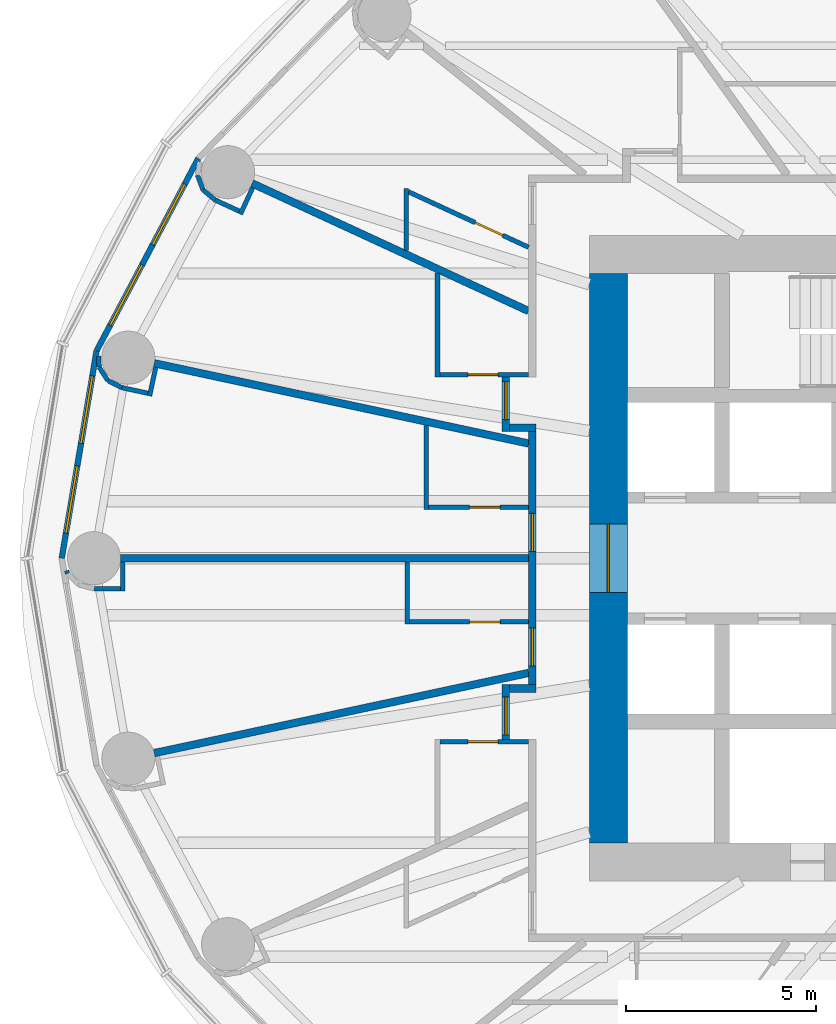
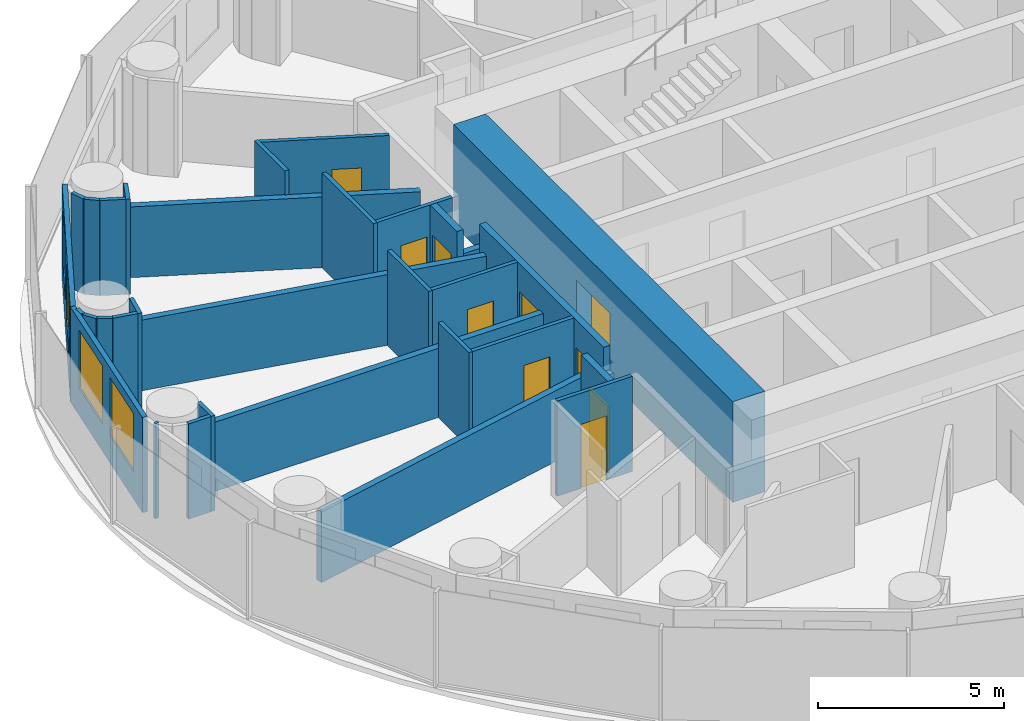
# One storey, part 8 of 16: 33 walls, 10 doors, 4 windows, 14 openings.
"""IFC4 building model written with IfcOpenShell, lengths in metres."""

import ifcopenshell
import ifcopenshell.guid

model = None  # the IFC model being written
_history = None  # IfcOwnerHistory: only IFC2X3 demands one
_inside = {}  # id of a spatial element -> (the spatial element, [elements in it])
_under = {}  # id of a project, library or spatial element -> (it, [spatial elements below it])
_declared = {}  # id of a project -> (the project, [libraries it declares])
_typed = {}  # id of a type object -> (the type object, [elements of that type])
_made_of = {}  # id of a material, layer set ... -> (it, [elements and type objects made of it])


def new_model(schema):
    """Start an empty IFC model of exactly this schema.

    Asked for "IFC4X3", IfcOpenShell would pick the latest addendum, in which some entities
    have other attributes; the version numbers below select the first issue.
    IFC2X3 requires an IfcOwnerHistory on every rooted entity: one is made here for all.
    """
    global model, _history
    if schema == "IFC4X3":
        model = ifcopenshell.file(schema_version=(4, 3, 0, 0))
    else:
        model = ifcopenshell.file(schema=schema)
    _inside.clear()
    _under.clear()
    _declared.clear()
    _typed.clear()
    _made_of.clear()
    _history = None
    if model.schema == "IFC2X3":
        org = make("IfcOrganization", Name="unknown")
        user = make(
            "IfcPersonAndOrganization",
            ThePerson=make("IfcPerson", FamilyName="unknown"),
            TheOrganization=org,
        )
        app = make(
            "IfcApplication",
            ApplicationDeveloper=org,
            Version="unknown",
            ApplicationFullName="unknown",
            ApplicationIdentifier="unknown",
        )
        _history = make(
            "IfcOwnerHistory",
            OwningUser=user,
            OwningApplication=app,
            ChangeAction="ADDED",
            CreationDate=0,
        )
    return model


def make(cls, **values):
    """One entity of the class cls with the attributes given. An attribute that is None is left unset."""
    return model.create_entity(
        cls, **{name: value for name, value in values.items() if value is not None}
    )


def rooted(cls, **values):
    """An entity with a GlobalId (a new one), such as an element, a storey or a relation."""
    return make(cls, GlobalId=ifcopenshell.guid.new(), OwnerHistory=_history, **values)


def si_unit(unit_type, name, prefix=None):
    """IfcSIUnit, for example si_unit("LENGTHUNIT", "METRE", prefix="MILLI")."""
    return make("IfcSIUnit", UnitType=unit_type, Prefix=prefix, Name=name)


def assignment(units):
    """IfcUnitAssignment: the units of a project."""
    return None if units is None else make("IfcUnitAssignment", Units=units)


def point(xyz):
    """IfcCartesianPoint."""
    return None if xyz is None else make("IfcCartesianPoint", Coordinates=xyz)


def direction(xyz):
    """IfcDirection."""
    return None if xyz is None else make("IfcDirection", DirectionRatios=xyz)


def frame(location, z_axis=None, x_axis=None):
    """IfcAxis2Placement3D, a coordinate frame: its origin and axes. An axis left out is left unset."""
    return make(
        "IfcAxis2Placement3D",
        Location=point(location),
        Axis=direction(z_axis),
        RefDirection=direction(x_axis),
    )


def frame_2d(location, x_axis=None):
    """IfcAxis2Placement2D, a coordinate frame in the plane: its origin and x axis."""
    return make(
        "IfcAxis2Placement2D", Location=point(location), RefDirection=direction(x_axis)
    )


def origin():
    """The frame at (0, 0, 0) with its axes left unset."""
    return frame((0.0, 0.0, 0.0))


def place(relative_to, where):
    """IfcLocalPlacement: puts the frame where relative to a parent placement (None: the world)."""
    return make(
        "IfcLocalPlacement", PlacementRelTo=relative_to, RelativePlacement=where
    )


def context(
    kind, dimensions, precision=None, world=None, true_north=None, identifier=None
):
    """IfcGeometricRepresentationContext, for example the 3D "Model" context."""
    return make(
        "IfcGeometricRepresentationContext",
        ContextIdentifier=identifier,
        ContextType=kind,
        CoordinateSpaceDimension=dimensions,
        Precision=precision,
        WorldCoordinateSystem=world,
        TrueNorth=true_north,
    )


def subcontext(parent, identifier, kind, view, scale=None):
    """IfcGeometricRepresentationSubContext, for example "Body" below "Model"."""
    return make(
        "IfcGeometricRepresentationSubContext",
        ContextIdentifier=identifier,
        ContextType=kind,
        ParentContext=parent,
        TargetScale=scale,
        TargetView=view,
    )


def project(units=None, contexts=None):
    """IfcProject with its units and contexts."""
    return rooted(
        "IfcProject",
        Name="project",
        RepresentationContexts=contexts,
        UnitsInContext=assignment(units),
    )


def spatial(cls, under=None, at=None, **own):
    """A site, building, storey or space (cls), placed at a placement, below another one or the project."""
    s = rooted(cls, ObjectPlacement=at, **own)
    if under is not None:
        _under.setdefault(under.id(), (under, []))[1].append(s)
    return s


def profile(cls, at=None, kind="AREA", **sizes):
    """A parametric profile (cls). Its sizes go by their IFC names, for example OverallWidth=200.0."""
    return make(cls, ProfileType=kind, Position=at, **sizes)


def rectangle(**sizes):
    """IfcRectangleProfileDef."""
    return profile("IfcRectangleProfileDef", **sizes)


def extrude(swept, where, along, depth):
    """IfcExtrudedAreaSolid: the profile swept, set in the frame where, extruded along a direction by depth."""
    return make(
        "IfcExtrudedAreaSolid",
        SweptArea=swept,
        Position=where,
        ExtrudedDirection=direction(along),
        Depth=depth,
    )


def shape(context_of_items, identifier, shape_type, items):
    """IfcShapeRepresentation: the items that make up one representation, for example the "Body"."""
    return make(
        "IfcShapeRepresentation",
        ContextOfItems=context_of_items,
        RepresentationIdentifier=identifier,
        RepresentationType=shape_type,
        Items=items,
    )


def material(Name=None, Category=None):
    """IfcMaterial."""
    return make("IfcMaterial", Name=Name, Category=Category)


def layer(
    of_material, thickness, ventilated=None, Name=None, Category=None, Priority=None
):
    """IfcMaterialLayer: one layer of a wall or slab, of a material (None: an air gap)."""
    return make(
        "IfcMaterialLayer",
        Material=of_material,
        LayerThickness=thickness,
        IsVentilated=ventilated,
        Name=Name,
        Category=Category,
        Priority=Priority,
    )


def layer_set(layers, Name=None):
    """IfcMaterialLayerSet."""
    return make("IfcMaterialLayerSet", MaterialLayers=layers, LayerSetName=Name)


def made_of(thing, what):
    """Note that an element or type object is made of a material, layer set ...; save() writes the relation."""
    if what is not None:
        _made_of.setdefault(what.id(), (what, []))[1].append(thing)
    return thing


def type_object(cls, material=None, **own):
    """A type object (cls), such as IfcWallType, which elements share."""
    return made_of(rooted(cls, **own), material)


def element(
    cls,
    number,
    at=None,
    inside=None,
    cuts=None,
    type_object=None,
    material=None,
    context=None,
    identifier="Body",
    shape_type=None,
    held_by="IfcProductDefinitionShape",
    body=None,
    shapes=None,
    **own,
):
    """One element of the class cls, such as IfcWall. Its Tag is "e" and its number.

    at: its placement. inside: the storey or other place that contains it. cuts: it is an
    opening in that element (IfcRelVoidsElement). A single representation is given by context,
    identifier, shape_type and body (its items); several are given by shapes. held_by: the class
    of the entity that holds the representations. save() writes the other relations.
    """
    e = rooted(cls, Tag="e%d" % number, ObjectPlacement=at, **own)
    if body is not None:
        shapes = [shape(context, identifier, shape_type, body)]
    if shapes is not None:
        e.Representation = make(held_by, Representations=shapes)
    if inside is not None:
        _inside.setdefault(inside.id(), (inside, []))[1].append(e)
    if cuts is not None:
        rooted(
            "IfcRelVoidsElement", RelatingBuildingElement=cuts, RelatedOpeningElement=e
        )
    if type_object is not None:
        _typed.setdefault(type_object.id(), (type_object, []))[1].append(e)
    return made_of(e, material)


def fill(opening, filler):
    """IfcRelFillsElement: the door or window that sits in an opening."""
    return rooted(
        "IfcRelFillsElement",
        RelatingOpeningElement=opening,
        RelatedBuildingElement=filler,
    )


def aggregate(whole, parts):
    """IfcRelAggregates: a whole, such as a stair, and the parts it consists of."""
    return rooted("IfcRelAggregates", RelatingObject=whole, RelatedObjects=parts)


def save(model, path):
    """Write the relations noted so far, then the file.

    IfcRelAggregates (storeys below a building ...), IfcRelContainedInSpatialStructure (elements
    in a storey), IfcRelDefinesByType, IfcRelAssociatesMaterial and IfcRelDeclares: one each for
    every whole, place, type object, material and project.
    """
    for whole, parts in _under.values():
        aggregate(whole, parts)
    for where, things in _inside.values():
        rooted(
            "IfcRelContainedInSpatialStructure",
            RelatedElements=things,
            RelatingStructure=where,
        )
    for kind, things in _typed.values():
        rooted("IfcRelDefinesByType", RelatedObjects=things, RelatingType=kind)
    for what, things in _made_of.values():
        rooted("IfcRelAssociatesMaterial", RelatedObjects=things, RelatingMaterial=what)
    for by, libraries in _declared.values():
        rooted("IfcRelDeclares", RelatingContext=by, RelatedDefinitions=libraries)
    model.write(path)


model = new_model("IFC4")

# Units and contexts
model_context = context("Model", 3, precision=1e-05, world=origin(), true_north=direction((0.0, 1.0)))
body_context = subcontext(model_context, "Body", "Model", "MODEL_VIEW")
ifc_project = project(units=[si_unit("LENGTHUNIT", "METRE"), si_unit("AREAUNIT", "SQUARE_METRE"), si_unit("VOLUMEUNIT", "CUBIC_METRE"), si_unit("PLANEANGLEUNIT", "RADIAN"), si_unit("MASSUNIT", "GRAM", prefix="KILO")], contexts=[model_context])

# Site, building, storey
site_placement = place(None, origin())
site = spatial("IfcSite", under=ifc_project, at=site_placement, CompositionType="ELEMENT")
building_placement = place(site_placement, origin())
building = spatial("IfcBuilding", under=site, at=building_placement, Name="Hankou Lantern Tower", CompositionType="ELEMENT")
storey_placement = place(building_placement, frame((0.0, 0.0, 77.10009765625)))
storey = spatial("IfcBuildingStorey", under=building, at=storey_placement, Name="L19", CompositionType="ELEMENT", Elevation=77.10009765625)

# Wall, opening, door
ifc_material_1 = material(Name="Concrete C60", Category="concrete")
ifc_layer_1 = layer(ifc_material_1, 1.0)
ifc_layer_set_1 = layer_set([ifc_layer_1], Name="Concrete C60")
wall_type_1 = type_object("IfcWallType", Name="CW1 CORE WALL 1000", PredefinedType="SHEAR", material=ifc_layer_set_1)
wall_1_placement = place(storey_placement, frame((-12.0, 7.5, 0.0), z_axis=(0.0, 0.0, 1.0), x_axis=(0.0, -1.0, 0.0)))
wall_1 = element("IfcWall", 1, at=wall_1_placement, inside=storey, type_object=wall_type_1, Name="Core wall west L19", PredefinedType="SHEAR", context=body_context, shape_type="SweptSolid", body=[
    extrude(rectangle(XDim=15.0, YDim=1.0, at=frame_2d((7.5, 0.0))), origin(), (0.0, 0.0, 1.0), 3.2998046875),
])
opening_1_placement = place(wall_1_placement, frame((6.60009765625, 0.0, 0.0)))
opening_1 = element("IfcOpeningElement", 2, at=opening_1_placement, cuts=wall_1, Name="Opening D6", PredefinedType="OPENING", context=body_context, shape_type="SweptSolid", body=[
    extrude(rectangle(XDim=1.800048828125, YDim=2.199951171875, at=frame_2d((0.89990234375, 1.10009765625))), frame((0.0, 0.510009765625, 0.0), z_axis=(0.0, -1.0, 0.0), x_axis=(1.0, 0.0, 0.0)), (0.0, 0.0, 1.0), 1.02001953125),
])
ifc_material_2 = material(Name="Steel door leaf", Category="steel")
door_type_1 = type_object("IfcDoorType", Name="D6 LIFT LOBBY DOOR 1800X2200", OperationType="DOUBLE_DOOR_DOUBLE_SWING", PredefinedType="DOOR", material=ifc_material_2)
door_1_placement = place(opening_1_placement, origin())
door_1 = element("IfcDoor", 3, at=door_1_placement, inside=storey, type_object=door_type_1, Name="Lift lobby west door", OperationType="DOUBLE_DOOR_DOUBLE_SWING", OverallHeight=2.199951171875, OverallWidth=1.800048828125, PredefinedType="DOOR", context=body_context, shape_type="SweptSolid", body=[
    extrude(rectangle(XDim=1.800048828125, YDim=2.199951171875, at=frame_2d((0.89990234375, 1.10009765625))), frame((0.0, 0.02490234375, 0.0), z_axis=(0.0, -1.0, 0.0), x_axis=(1.0, 0.0, 0.0)), (0.0, 0.0, 1.0), 0.050048828125),
])
fill(opening_1, door_1)

# Wall, openings, windows
ifc_material_3 = material(Name="Aluminium spandrel panel on steel studs", Category="steel")
ifc_layer_2 = layer(ifc_material_3, 0.14990234375)
ifc_layer_set_2 = layer_set([ifc_layer_2], Name="Aluminium spandrel panel on steel studs")
wall_type_2 = type_object("IfcWallType", Name="EW1 INNER SKIN WALL 150", PredefinedType="ELEMENTEDWALL", material=ifc_layer_set_2)
wall_2_placement = place(storey_placement, frame((-22.802734375, 10.5322265625, 0.0), z_axis=(0.0, 0.0, 1.0), x_axis=(-0.467296867008, -0.884100468321, 0.0)))
wall_2 = element("IfcWall", 4, at=wall_2_placement, inside=storey, type_object=wall_type_2, Name="Inner skin R11-R12 L19", PredefinedType="ELEMENTEDWALL", context=body_context, shape_type="SweptSolid", body=[
    extrude(rectangle(XDim=5.734375, YDim=0.14990234375, at=frame_2d((2.8671875, 0.0))), origin(), (0.0, 0.0, 1.0), 3.119873046875),
])
opening_2_placement = place(wall_2_placement, frame((0.76708984375, 0.0, 0.89990234375)))
opening_2 = element("IfcOpeningElement", 5, at=opening_2_placement, cuts=wall_2, Name="Opening W1", PredefinedType="OPENING", context=body_context, shape_type="SweptSolid", body=[
    extrude(rectangle(XDim=1.800048828125, YDim=1.89990234375, at=frame_2d((0.89990234375, 0.949951171875))), frame((0.0, 0.0849609375, 0.0), z_axis=(0.0, -1.0, 0.0), x_axis=(1.0, 0.0, 0.0)), (0.0, 0.0, 1.0), 0.169921875),
])
opening_3_placement = place(wall_2_placement, frame((3.167236328125, 0.0, 0.89990234375)))
opening_3 = element("IfcOpeningElement", 6, at=opening_3_placement, cuts=wall_2, Name="Opening W1", PredefinedType="OPENING", context=body_context, shape_type="SweptSolid", body=[
    extrude(rectangle(XDim=1.800048828125, YDim=1.89990234375, at=frame_2d((0.89990234375, 0.949951171875))), frame((0.0, 0.0849609375, 0.0), z_axis=(0.0, -1.0, 0.0), x_axis=(1.0, 0.0, 0.0)), (0.0, 0.0, 1.0), 0.169921875),
])
ifc_material_4 = material(Name="Aluminium framed double glazed window", Category="aluminium")
window_type = type_object("IfcWindowType", Name="W1 GUEST ROOM WINDOW 1800X1900", PartitioningType="DOUBLE_PANEL_VERTICAL", PredefinedType="WINDOW", material=ifc_material_4)
window_1_placement = place(opening_2_placement, origin())
window_1 = element("IfcWindow", 7, at=window_1_placement, inside=storey, type_object=window_type, Name="Window R11.1 L19", OverallHeight=1.89990234375, OverallWidth=1.800048828125, PartitioningType="SINGLE_PANEL", PredefinedType="WINDOW", context=body_context, shape_type="SweptSolid", body=[
    extrude(rectangle(XDim=1.800048828125, YDim=1.89990234375, at=frame_2d((0.89990234375, 0.949951171875))), frame((0.0, 0.030029296875, 0.0), z_axis=(0.0, -1.0, 0.0), x_axis=(1.0, 0.0, 0.0)), (0.0, 0.0, 1.0), 0.06005859375),
])
fill(opening_2, window_1)
window_2_placement = place(opening_3_placement, origin())
window_2 = element("IfcWindow", 8, at=window_2_placement, inside=storey, type_object=window_type, Name="Window R11.2 L19", OverallHeight=1.89990234375, OverallWidth=1.800048828125, PartitioningType="SINGLE_PANEL", PredefinedType="WINDOW", context=body_context, shape_type="SweptSolid", body=[
    extrude(rectangle(XDim=1.800048828125, YDim=1.89990234375, at=frame_2d((0.89990234375, 0.949951171875))), frame((0.0, 0.030029296875, 0.0), z_axis=(0.0, -1.0, 0.0), x_axis=(1.0, 0.0, 0.0)), (0.0, 0.0, 1.0), 0.06005859375),
])
fill(opening_3, window_2)

wall_3_placement = place(storey_placement, frame((-25.482421875, 5.46240234375, 0.0), z_axis=(0.0, 0.0, 1.0), x_axis=(-0.165642551694, -0.986185857264, 0.0)))
wall_3 = element("IfcWall", 9, at=wall_3_placement, inside=storey, type_object=wall_type_2, Name="Inner skin R12-R13 L19", PredefinedType="ELEMENTEDWALL", context=body_context, shape_type="SweptSolid", body=[
    extrude(rectangle(XDim=5.538818359375, YDim=0.14990234375, at=frame_2d((2.76953125, 0.0))), origin(), (0.0, 0.0, 1.0), 3.119873046875),
])
opening_4_placement = place(wall_3_placement, frame((0.66943359375, 0.0, 0.89990234375)))
opening_4 = element("IfcOpeningElement", 10, at=opening_4_placement, cuts=wall_3, Name="Opening W1", PredefinedType="OPENING", context=body_context, shape_type="SweptSolid", body=[
    extrude(rectangle(XDim=1.800048828125, YDim=1.89990234375, at=frame_2d((0.89990234375, 0.949951171875))), frame((0.0, 0.0849609375, 0.0), z_axis=(0.0, -1.0, 0.0), x_axis=(1.0, 0.0, 0.0)), (0.0, 0.0, 1.0), 0.169921875),
])
opening_5_placement = place(wall_3_placement, frame((3.069580078125, 0.0, 0.89990234375)))
opening_5 = element("IfcOpeningElement", 11, at=opening_5_placement, cuts=wall_3, Name="Opening W1", PredefinedType="OPENING", context=body_context, shape_type="SweptSolid", body=[
    extrude(rectangle(XDim=1.800048828125, YDim=1.89990234375, at=frame_2d((0.89990234375, 0.949951171875))), frame((0.0, 0.0849609375, 0.0), z_axis=(0.0, -1.0, 0.0), x_axis=(1.0, 0.0, 0.0)), (0.0, 0.0, 1.0), 0.169921875),
])
window_3_placement = place(opening_4_placement, origin())
window_3 = element("IfcWindow", 12, at=window_3_placement, inside=storey, type_object=window_type, Name="Window R12.1 L19", OverallHeight=1.89990234375, OverallWidth=1.800048828125, PartitioningType="SINGLE_PANEL", PredefinedType="WINDOW", context=body_context, shape_type="SweptSolid", body=[
    extrude(rectangle(XDim=1.800048828125, YDim=1.89990234375, at=frame_2d((0.89990234375, 0.949951171875))), frame((0.0, 0.030029296875, 0.0), z_axis=(0.0, -1.0, 0.0), x_axis=(1.0, 0.0, 0.0)), (0.0, 0.0, 1.0), 0.06005859375),
])
fill(opening_4, window_3)
window_4_placement = place(opening_5_placement, origin())
window_4 = element("IfcWindow", 13, at=window_4_placement, inside=storey, type_object=window_type, Name="Window R12.2 L19", OverallHeight=1.89990234375, OverallWidth=1.800048828125, PartitioningType="SINGLE_PANEL", PredefinedType="WINDOW", context=body_context, shape_type="SweptSolid", body=[
    extrude(rectangle(XDim=1.800048828125, YDim=1.89990234375, at=frame_2d((0.89990234375, 0.949951171875))), frame((0.0, 0.030029296875, 0.0), z_axis=(0.0, -1.0, 0.0), x_axis=(1.0, 0.0, 0.0)), (0.0, 0.0, 1.0), 0.06005859375),
])
fill(opening_5, window_4)

# Walls
ifc_material_5 = material(Name="Masonry lightweight concrete block", Category="masonry")
ifc_layer_3 = layer(ifc_material_5, 0.199951171875)
ifc_layer_set_3 = layer_set([ifc_layer_3], Name="Masonry lightweight concrete block")
wall_type_3 = type_object("IfcWallType", Name="IW1 GUEST ROOM PARTY WALL 200", PredefinedType="PARTITIONING", material=ifc_layer_set_3)
wall_4_placement = place(storey_placement, frame((-14.10009765625, 6.512451171875, 0.0), z_axis=(0.0, 0.0, 1.0), x_axis=(-0.907832871056, 0.419332181247, 0.0)))
element("IfcWall", 14, at=wall_4_placement, inside=storey, type_object=wall_type_3, Name="Party wall R11", PredefinedType="PARTITIONING", context=body_context, shape_type="SweptSolid", body=[
    extrude(rectangle(XDim=8.02294921875, YDim=0.199951171875, at=frame_2d((4.011474609375, 0.0))), origin(), (0.0, 0.0, 1.0), 2.31982421875),
])
wall_5_placement = place(storey_placement, frame((-14.10009765625, 3.0224609375, 0.0), z_axis=(0.0, 0.0, 1.0), x_axis=(-0.977790014929, 0.209586943072, 0.0)))
element("IfcWall", 15, at=wall_5_placement, inside=storey, type_object=wall_type_3, Name="Party wall R12", PredefinedType="PARTITIONING", context=body_context, shape_type="SweptSolid", body=[
    extrude(rectangle(XDim=10.086669921875, YDim=0.199951171875, at=frame_2d((5.04345703125, 0.0))), origin(), (0.0, 0.0, 1.0), 2.31982421875),
])
wall_6_placement = place(storey_placement, frame((-14.10009765625, 0.0, 0.0), z_axis=(0.0, 0.0, 1.0), x_axis=(-1.0, 0.0, 0.0)))
element("IfcWall", 16, at=wall_6_placement, inside=storey, type_object=wall_type_3, Name="Party wall R13", PredefinedType="PARTITIONING", context=body_context, shape_type="SweptSolid", body=[
    extrude(rectangle(XDim=10.75, YDim=0.199951171875, at=frame_2d((5.375, 0.0))), origin(), (0.0, 0.0, 1.0), 2.27001953125),
])
wall_7_placement = place(storey_placement, frame((-14.10009765625, -3.0224609375, 0.0), z_axis=(0.0, 0.0, 1.0), x_axis=(-0.977790014929, -0.209586943072, 0.0)))
element("IfcWall", 17, at=wall_7_placement, inside=storey, type_object=wall_type_3, Name="Party wall R14", PredefinedType="PARTITIONING", context=body_context, shape_type="SweptSolid", body=[
    extrude(rectangle(XDim=10.086669921875, YDim=0.199951171875, at=frame_2d((5.04345703125, 0.0))), origin(), (0.0, 0.0, 1.0), 2.31982421875),
])

# Wall, opening, door
ifc_material_6 = material(Name="Masonry lightweight concrete block", Category="masonry")
ifc_layer_4 = layer(ifc_material_6, 0.199951171875)
ifc_layer_set_4 = layer_set([ifc_layer_4], Name="Masonry lightweight concrete block")
wall_type_4 = type_object("IfcWallType", Name="IW2 CORRIDOR WALL 200", PredefinedType="PARTITIONING", material=ifc_layer_set_4)
wall_8_placement = place(storey_placement, frame((-14.699951171875, 4.7724609375, 0.0), z_axis=(0.0, 0.0, 1.0), x_axis=(0.0, -1.0, 0.0)))
wall_8 = element("IfcWall", 18, at=wall_8_placement, inside=storey, type_object=wall_type_4, Name="Corridor recess wall 1916 back", PredefinedType="PARTITIONING", context=body_context, shape_type="SweptSolid", body=[
    extrude(rectangle(XDim=1.43994140625, YDim=0.199951171875, at=frame_2d((0.719970703125, 0.0))), origin(), (0.0, 0.0, 1.0), 3.119873046875),
])
opening_6_placement = place(wall_8_placement, frame((0.1201171875, 0.0, 0.0)))
opening_6 = element("IfcOpeningElement", 19, at=opening_6_placement, cuts=wall_8, Name="Opening D1", PredefinedType="OPENING", context=body_context, shape_type="SweptSolid", body=[
    extrude(rectangle(XDim=1.0, YDim=2.199951171875, at=frame_2d((0.5, 1.10009765625))), frame((0.0, 0.10986328125, 0.0), z_axis=(0.0, -1.0, 0.0), x_axis=(1.0, 0.0, 0.0)), (0.0, 0.0, 1.0), 0.219970703125),
])
ifc_material_7 = material(Name="Steel door leaf", Category="steel")
door_type_2 = type_object("IfcDoorType", Name="D1 GUEST ROOM DOOR 1000X2200", OperationType="SINGLE_SWING_LEFT", PredefinedType="DOOR", material=ifc_material_7)
door_2_placement = place(opening_6_placement, origin())
door_2 = element("IfcDoor", 20, at=door_2_placement, inside=storey, type_object=door_type_2, Name="Guest room door 1916", OperationType="SINGLE_SWING_LEFT", OverallHeight=2.199951171875, OverallWidth=1.0, PredefinedType="DOOR", context=body_context, shape_type="SweptSolid", body=[
    extrude(rectangle(XDim=1.0, YDim=2.199951171875, at=frame_2d((0.5, 1.10009765625))), frame((0.0, 0.02490234375, 0.0), z_axis=(0.0, -1.0, 0.0), x_axis=(1.0, 0.0, 0.0)), (0.0, 0.0, 1.0), 0.050048828125),
])
fill(opening_6, door_2)

# Wall
wall_9_placement = place(storey_placement, frame((-13.89990234375, 3.4326171875, 0.0), z_axis=(0.0, 0.0, 1.0), x_axis=(-1.0, 0.0, 0.0)))
element("IfcWall", 21, at=wall_9_placement, inside=storey, type_object=wall_type_4, Name="Corridor recess wall 1916 side", PredefinedType="PARTITIONING", context=body_context, shape_type="SweptSolid", body=[
    extrude(rectangle(XDim=0.7001953125, YDim=0.199951171875, at=frame_2d((0.35009765625, 0.0))), origin(), (0.0, 0.0, 1.0), 2.31982421875),
])

# Wall, opening, door
wall_10_placement = place(storey_placement, frame((-14.699951171875, -3.33251953125, 0.0), z_axis=(0.0, 0.0, 1.0), x_axis=(0.0, -1.0, 0.0)))
wall_10 = element("IfcWall", 22, at=wall_10_placement, inside=storey, type_object=wall_type_4, Name="Corridor recess wall 1919 back", PredefinedType="PARTITIONING", context=body_context, shape_type="SweptSolid", body=[
    extrude(rectangle(XDim=1.43994140625, YDim=0.199951171875, at=frame_2d((0.719970703125, 0.0))), origin(), (0.0, 0.0, 1.0), 3.119873046875),
])
opening_7_placement = place(wall_10_placement, frame((0.320068359375, 0.0, 0.0)))
opening_7 = element("IfcOpeningElement", 23, at=opening_7_placement, cuts=wall_10, Name="Opening D1", PredefinedType="OPENING", context=body_context, shape_type="SweptSolid", body=[
    extrude(rectangle(XDim=1.0, YDim=2.199951171875, at=frame_2d((0.5, 1.10009765625))), frame((0.0, 0.10986328125, 0.0), z_axis=(0.0, -1.0, 0.0), x_axis=(1.0, 0.0, 0.0)), (0.0, 0.0, 1.0), 0.219970703125),
])
door_3_placement = place(opening_7_placement, origin())
door_3 = element("IfcDoor", 24, at=door_3_placement, inside=storey, type_object=door_type_2, Name="Guest room door 1919", OperationType="SINGLE_SWING_RIGHT", OverallHeight=2.199951171875, OverallWidth=1.0, PredefinedType="DOOR", context=body_context, shape_type="SweptSolid", body=[
    extrude(rectangle(XDim=1.0, YDim=2.199951171875, at=frame_2d((0.5, 1.10009765625))), frame((0.0, 0.02490234375, 0.0), z_axis=(0.0, -1.0, 0.0), x_axis=(1.0, 0.0, 0.0)), (0.0, 0.0, 1.0), 0.050048828125),
])
fill(opening_7, door_3)

# Wall
wall_11_placement = place(storey_placement, frame((-13.89990234375, -3.4326171875, 0.0), z_axis=(0.0, 0.0, 1.0), x_axis=(-1.0, 0.0, 0.0)))
element("IfcWall", 25, at=wall_11_placement, inside=storey, type_object=wall_type_4, Name="Corridor recess wall 1919 side", PredefinedType="PARTITIONING", context=body_context, shape_type="SweptSolid", body=[
    extrude(rectangle(XDim=0.7001953125, YDim=0.199951171875, at=frame_2d((0.35009765625, 0.0))), origin(), (0.0, 0.0, 1.0), 2.31982421875),
])

# Wall, openings, doors
wall_12_placement = place(storey_placement, frame((-14.0, 3.33251953125, 0.0), z_axis=(0.0, 0.0, 1.0), x_axis=(0.0, -1.0, 0.0)))
wall_12 = element("IfcWall", 26, at=wall_12_placement, inside=storey, type_object=wall_type_4, Name="Corridor wall west", PredefinedType="PARTITIONING", context=body_context, shape_type="SweptSolid", body=[
    extrude(rectangle(XDim=6.6650390625, YDim=0.199951171875, at=frame_2d((3.33251953125, 0.0))), origin(), (0.0, 0.0, 1.0), 3.119873046875),
])
opening_8_placement = place(wall_12_placement, frame((2.14990234375, 0.0, 0.0)))
opening_8 = element("IfcOpeningElement", 27, at=opening_8_placement, cuts=wall_12, Name="Opening D1", PredefinedType="OPENING", context=body_context, shape_type="SweptSolid", body=[
    extrude(rectangle(XDim=1.0, YDim=2.199951171875, at=frame_2d((0.5, 1.10009765625))), frame((0.0, 0.10986328125, 0.0), z_axis=(0.0, -1.0, 0.0), x_axis=(1.0, 0.0, 0.0)), (0.0, 0.0, 1.0), 0.219970703125),
])
opening_9_placement = place(wall_12_placement, frame((5.172607421875, 0.0, 0.0)))
opening_9 = element("IfcOpeningElement", 28, at=opening_9_placement, cuts=wall_12, Name="Opening D1", PredefinedType="OPENING", context=body_context, shape_type="SweptSolid", body=[
    extrude(rectangle(XDim=1.0, YDim=2.199951171875, at=frame_2d((0.5, 1.10009765625))), frame((0.0, 0.10986328125, 0.0), z_axis=(0.0, -1.0, 0.0), x_axis=(1.0, 0.0, 0.0)), (0.0, 0.0, 1.0), 0.219970703125),
])
door_4_placement = place(opening_8_placement, origin())
door_4 = element("IfcDoor", 29, at=door_4_placement, inside=storey, type_object=door_type_2, Name="Guest room door 1917", OperationType="SINGLE_SWING_LEFT", OverallHeight=2.199951171875, OverallWidth=1.0, PredefinedType="DOOR", context=body_context, shape_type="SweptSolid", body=[
    extrude(rectangle(XDim=1.0, YDim=2.199951171875, at=frame_2d((0.5, 1.10009765625))), frame((0.0, 0.02490234375, 0.0), z_axis=(0.0, -1.0, 0.0), x_axis=(1.0, 0.0, 0.0)), (0.0, 0.0, 1.0), 0.050048828125),
])
fill(opening_8, door_4)
door_5_placement = place(opening_9_placement, origin())
door_5 = element("IfcDoor", 30, at=door_5_placement, inside=storey, type_object=door_type_2, Name="Guest room door 1918", OperationType="SINGLE_SWING_RIGHT", OverallHeight=2.199951171875, OverallWidth=1.0, PredefinedType="DOOR", context=body_context, shape_type="SweptSolid", body=[
    extrude(rectangle(XDim=1.0, YDim=2.199951171875, at=frame_2d((0.5, 1.10009765625))), frame((0.0, 0.02490234375, 0.0), z_axis=(0.0, -1.0, 0.0), x_axis=(1.0, 0.0, 0.0)), (0.0, 0.0, 1.0), 0.050048828125),
])
fill(opening_9, door_5)

# Wall
ifc_material_8 = material(Name="Masonry lightweight concrete block", Category="masonry")
ifc_layer_5 = layer(ifc_material_8, 0.1201171875)
ifc_layer_set_5 = layer_set([ifc_layer_5], Name="Masonry lightweight concrete block")
wall_type_5 = type_object("IfcWallType", Name="IW3 BATHROOM WALL 120", PredefinedType="PARTITIONING", material=ifc_layer_set_5)
wall_13_placement = place(storey_placement, frame((-17.32275390625, 8.10107421875, 0.0), z_axis=(0.0, 0.0, 1.0), x_axis=(0.0, 1.0, 0.0)))
element("IfcWall", 31, at=wall_13_placement, inside=storey, type_object=wall_type_5, Name="Box wall 1915 1", PredefinedType="PARTITIONING", context=body_context, shape_type="SweptSolid", body=[
    extrude(rectangle(XDim=1.639892578125, YDim=0.1201171875, at=frame_2d((0.81982421875, 0.0))), origin(), (0.0, 0.0, 1.0), 3.119873046875),
])

# Wall, opening, door
wall_14_placement = place(storey_placement, frame((-14.10009765625, 8.192626953125, 0.0), z_axis=(0.0, 0.0, 1.0), x_axis=(-0.907836493557, 0.419324338628, 0.0)))
wall_14 = element("IfcWall", 32, at=wall_14_placement, inside=storey, type_object=wall_type_5, Name="Box wall 1915 1", PredefinedType="PARTITIONING", context=body_context, shape_type="SweptSolid", body=[
    extrude(rectangle(XDim=3.48974609375, YDim=0.1201171875, at=frame_2d((1.744873046875, 0.0))), origin(), (0.0, 0.0, 1.0), 3.119873046875),
])
opening_10_placement = place(wall_14_placement, frame((0.75, 0.0, 0.0)))
opening_10 = element("IfcOpeningElement", 33, at=opening_10_placement, cuts=wall_14, Name="Opening D3", PredefinedType="OPENING", context=body_context, shape_type="SweptSolid", body=[
    extrude(rectangle(XDim=0.800048828125, YDim=2.10009765625, at=frame_2d((0.39990234375, 1.050048828125))), frame((0.0, 0.070068359375, 0.0), z_axis=(0.0, -1.0, 0.0), x_axis=(1.0, 0.0, 0.0)), (0.0, 0.0, 1.0), 0.14013671875),
])
ifc_material_9 = material(Name="Timber door leaf", Category="wood")
door_type_3 = type_object("IfcDoorType", Name="D3 BATHROOM DOOR 800X2100", OperationType="SINGLE_SWING_LEFT", PredefinedType="DOOR", material=ifc_material_9)
door_6_placement = place(opening_10_placement, origin())
door_6 = element("IfcDoor", 34, at=door_6_placement, inside=storey, type_object=door_type_3, Name="En-suite bathroom 1915 door", OperationType="SINGLE_SWING_LEFT", OverallHeight=2.10009765625, OverallWidth=0.800048828125, PredefinedType="DOOR", context=body_context, shape_type="SweptSolid", body=[
    extrude(rectangle(XDim=0.800048828125, YDim=2.10009765625, at=frame_2d((0.39990234375, 1.050048828125))), frame((0.0, 0.02490234375, 0.0), z_axis=(0.0, -1.0, 0.0), x_axis=(1.0, 0.0, 0.0)), (0.0, 0.0, 1.0), 0.050048828125),
])
fill(opening_10, door_6)

# Wall
wall_15_placement = place(storey_placement, frame((-16.5, 7.52099609375, 0.0), z_axis=(0.0, 0.0, 1.0), x_axis=(0.0, -1.0, 0.0)))
element("IfcWall", 35, at=wall_15_placement, inside=storey, type_object=wall_type_5, Name="Box wall 1916 1", PredefinedType="PARTITIONING", context=body_context, shape_type="SweptSolid", body=[
    extrude(rectangle(XDim=2.74853515625, YDim=0.1201171875, at=frame_2d((1.374267578125, 0.0))), origin(), (0.0, 0.0, 1.0), 3.119873046875),
])

# Wall, opening, door
wall_16_placement = place(storey_placement, frame((-14.10009765625, 4.83251953125, 0.0), z_axis=(0.0, 0.0, 1.0), x_axis=(-1.0, 0.0, 0.0)))
wall_16 = element("IfcWall", 36, at=wall_16_placement, inside=storey, type_object=wall_type_5, Name="Box wall 1916 1", PredefinedType="PARTITIONING", context=body_context, shape_type="SweptSolid", body=[
    extrude(rectangle(XDim=2.33984375, YDim=0.1201171875, at=frame_2d((1.169921875, 0.0))), origin(), (0.0, 0.0, 1.0), 3.119873046875),
])
opening_11_placement = place(wall_16_placement, frame((0.800048828125, 0.0, 0.0)))
opening_11 = element("IfcOpeningElement", 37, at=opening_11_placement, cuts=wall_16, Name="Opening D3", PredefinedType="OPENING", context=body_context, shape_type="SweptSolid", body=[
    extrude(rectangle(XDim=0.800048828125, YDim=2.10009765625, at=frame_2d((0.39990234375, 1.050048828125))), frame((0.0, 0.070068359375, 0.0), z_axis=(0.0, -1.0, 0.0), x_axis=(1.0, 0.0, 0.0)), (0.0, 0.0, 1.0), 0.14013671875),
])
door_7_placement = place(opening_11_placement, origin())
door_7 = element("IfcDoor", 38, at=door_7_placement, inside=storey, type_object=door_type_3, Name="En-suite bathroom 1916 door", OperationType="SINGLE_SWING_LEFT", OverallHeight=2.10009765625, OverallWidth=0.800048828125, PredefinedType="DOOR", context=body_context, shape_type="SweptSolid", body=[
    extrude(rectangle(XDim=0.800048828125, YDim=2.10009765625, at=frame_2d((0.39990234375, 1.050048828125))), frame((0.0, 0.02490234375, 0.0), z_axis=(0.0, -1.0, 0.0), x_axis=(1.0, 0.0, 0.0)), (0.0, 0.0, 1.0), 0.050048828125),
])
fill(opening_11, door_7)

# Wall
wall_17_placement = place(storey_placement, frame((-16.800048828125, 3.501220703125, 0.0), z_axis=(0.0, 0.0, 1.0), x_axis=(0.0, -1.0, 0.0)))
element("IfcWall", 39, at=wall_17_placement, inside=storey, type_object=wall_type_5, Name="Box wall 1917 1", PredefinedType="PARTITIONING", context=body_context, shape_type="SweptSolid", body=[
    extrude(rectangle(XDim=2.21875, YDim=0.1201171875, at=frame_2d((1.109375, 0.0))), origin(), (0.0, 0.0, 1.0), 3.119873046875),
])

# Wall, opening, door
wall_18_placement = place(storey_placement, frame((-14.10009765625, 1.342529296875, 0.0), z_axis=(0.0, 0.0, 1.0), x_axis=(-1.0, 0.0, 0.0)))
wall_18 = element("IfcWall", 40, at=wall_18_placement, inside=storey, type_object=wall_type_5, Name="Box wall 1917 1", PredefinedType="PARTITIONING", context=body_context, shape_type="SweptSolid", body=[
    extrude(rectangle(XDim=2.639892578125, YDim=0.1201171875, at=frame_2d((1.31982421875, 0.0))), origin(), (0.0, 0.0, 1.0), 3.119873046875),
])
opening_12_placement = place(wall_18_placement, frame((0.75, 0.0, 0.0)))
opening_12 = element("IfcOpeningElement", 41, at=opening_12_placement, cuts=wall_18, Name="Opening D3", PredefinedType="OPENING", context=body_context, shape_type="SweptSolid", body=[
    extrude(rectangle(XDim=0.800048828125, YDim=2.10009765625, at=frame_2d((0.39990234375, 1.050048828125))), frame((0.0, 0.070068359375, 0.0), z_axis=(0.0, -1.0, 0.0), x_axis=(1.0, 0.0, 0.0)), (0.0, 0.0, 1.0), 0.14013671875),
])
door_8_placement = place(opening_12_placement, origin())
door_8 = element("IfcDoor", 42, at=door_8_placement, inside=storey, type_object=door_type_3, Name="En-suite bathroom 1917 door", OperationType="SINGLE_SWING_LEFT", OverallHeight=2.10009765625, OverallWidth=0.800048828125, PredefinedType="DOOR", context=body_context, shape_type="SweptSolid", body=[
    extrude(rectangle(XDim=0.800048828125, YDim=2.10009765625, at=frame_2d((0.39990234375, 1.050048828125))), frame((0.0, 0.02490234375, 0.0), z_axis=(0.0, -1.0, 0.0), x_axis=(1.0, 0.0, 0.0)), (0.0, 0.0, 1.0), 0.050048828125),
])
fill(opening_12, door_8)

# Wall
wall_19_placement = place(storey_placement, frame((-17.300048828125, -0.10009765625, 0.0), z_axis=(0.0, 0.0, 1.0), x_axis=(0.0, -1.0, 0.0)))
element("IfcWall", 43, at=wall_19_placement, inside=storey, type_object=wall_type_5, Name="Box wall 1918 1", PredefinedType="PARTITIONING", context=body_context, shape_type="SweptSolid", body=[
    extrude(rectangle(XDim=1.639892578125, YDim=0.1201171875, at=frame_2d((0.81982421875, 0.0))), origin(), (0.0, 0.0, 1.0), 3.119873046875),
])

# Wall, opening, door
wall_20_placement = place(storey_placement, frame((-14.10009765625, -1.679931640625, 0.0), z_axis=(0.0, 0.0, 1.0), x_axis=(-1.0, 0.0, 0.0)))
wall_20 = element("IfcWall", 44, at=wall_20_placement, inside=storey, type_object=wall_type_5, Name="Box wall 1918 1", PredefinedType="PARTITIONING", context=body_context, shape_type="SweptSolid", body=[
    extrude(rectangle(XDim=3.139892578125, YDim=0.1201171875, at=frame_2d((1.56982421875, 0.0))), origin(), (0.0, 0.0, 1.0), 3.119873046875),
])
opening_13_placement = place(wall_20_placement, frame((0.75, 0.0, 0.0)))
opening_13 = element("IfcOpeningElement", 45, at=opening_13_placement, cuts=wall_20, Name="Opening D3", PredefinedType="OPENING", context=body_context, shape_type="SweptSolid", body=[
    extrude(rectangle(XDim=0.800048828125, YDim=2.10009765625, at=frame_2d((0.39990234375, 1.050048828125))), frame((0.0, 0.070068359375, 0.0), z_axis=(0.0, -1.0, 0.0), x_axis=(1.0, 0.0, 0.0)), (0.0, 0.0, 1.0), 0.14013671875),
])
door_9_placement = place(opening_13_placement, origin())
door_9 = element("IfcDoor", 46, at=door_9_placement, inside=storey, type_object=door_type_3, Name="En-suite bathroom 1918 door", OperationType="SINGLE_SWING_LEFT", OverallHeight=2.10009765625, OverallWidth=0.800048828125, PredefinedType="DOOR", context=body_context, shape_type="SweptSolid", body=[
    extrude(rectangle(XDim=0.800048828125, YDim=2.10009765625, at=frame_2d((0.39990234375, 1.050048828125))), frame((0.0, 0.02490234375, 0.0), z_axis=(0.0, -1.0, 0.0), x_axis=(1.0, 0.0, 0.0)), (0.0, 0.0, 1.0), 0.050048828125),
])
fill(opening_13, door_9)

wall_21_placement = place(storey_placement, frame((-14.10009765625, -4.83251953125, 0.0), z_axis=(0.0, 0.0, 1.0), x_axis=(-1.0, 0.0, 0.0)))
wall_21 = element("IfcWall", 47, at=wall_21_placement, inside=storey, type_object=wall_type_5, Name="Box wall 1919 1", PredefinedType="PARTITIONING", context=body_context, shape_type="SweptSolid", body=[
    extrude(rectangle(XDim=2.33984375, YDim=0.1201171875, at=frame_2d((1.169921875, 0.0))), origin(), (0.0, 0.0, 1.0), 3.119873046875),
])
opening_14_placement = place(wall_21_placement, frame((0.800048828125, 0.0, 0.0)))
opening_14 = element("IfcOpeningElement", 48, at=opening_14_placement, cuts=wall_21, Name="Opening D3", PredefinedType="OPENING", context=body_context, shape_type="SweptSolid", body=[
    extrude(rectangle(XDim=0.800048828125, YDim=2.10009765625, at=frame_2d((0.39990234375, 1.050048828125))), frame((0.0, 0.070068359375, 0.0), z_axis=(0.0, -1.0, 0.0), x_axis=(1.0, 0.0, 0.0)), (0.0, 0.0, 1.0), 0.14013671875),
])
door_10_placement = place(opening_14_placement, origin())
door_10 = element("IfcDoor", 49, at=door_10_placement, inside=storey, type_object=door_type_3, Name="En-suite bathroom 1919 door", OperationType="SINGLE_SWING_RIGHT", OverallHeight=2.10009765625, OverallWidth=0.800048828125, PredefinedType="DOOR", context=body_context, shape_type="SweptSolid", body=[
    extrude(rectangle(XDim=0.800048828125, YDim=2.10009765625, at=frame_2d((0.39990234375, 1.050048828125))), frame((0.0, 0.02490234375, 0.0), z_axis=(0.0, -1.0, 0.0), x_axis=(1.0, 0.0, 0.0)), (0.0, 0.0, 1.0), 0.050048828125),
])
fill(opening_14, door_10)

# Walls
ifc_material_10 = material(Name="Masonry lightweight concrete block", Category="masonry")
ifc_layer_6 = layer(ifc_material_10, 0.1201171875)
ifc_layer_set_6 = layer_set([ifc_layer_6], Name="Masonry lightweight concrete block")
wall_type_6 = type_object("IfcWallType", Name="IW4 PARTITION 120", PredefinedType="PARTITIONING", material=ifc_layer_set_6)
wall_22_placement = place(storey_placement, frame((-21.37109375, 9.7607421875, 0.0), z_axis=(0.0, 0.0, 1.0), x_axis=(-0.419259891039, -0.907866258744, 0.0)))
element("IfcWall", 50, at=wall_22_placement, inside=storey, type_object=wall_type_6, Name="Column casing R11 return", PredefinedType="PARTITIONING", context=body_context, shape_type="SweptSolid", body=[
    extrude(rectangle(XDim=0.767578125, YDim=0.1201171875, at=frame_2d((0.3837890625, 0.0))), origin(), (0.0, 0.0, 1.0), 3.119873046875),
])
wall_23_placement = place(storey_placement, frame((-21.72216796875, 9.1435546875, 0.0), z_axis=(0.0, 0.0, 1.0), x_axis=(-0.907877701396, 0.419235112208, 0.0)))
element("IfcWall", 51, at=wall_23_placement, inside=storey, type_object=wall_type_6, Name="Column casing R11", PredefinedType="PARTITIONING", context=body_context, shape_type="SweptSolid", body=[
    extrude(rectangle(XDim=0.699951171875, YDim=0.1201171875, at=frame_2d((0.35009765625, 0.0))), origin(), (0.0, 0.0, 1.0), 3.119873046875),
])
wall_24_placement = place(storey_placement, frame((-22.357666015625, 9.43701171875, 0.0), z_axis=(0.0, 0.0, 1.0), x_axis=(-0.768412687942, 0.639954639806, 0.0)))
element("IfcWall", 52, at=wall_24_placement, inside=storey, type_object=wall_type_6, Name="Column casing R11", PredefinedType="PARTITIONING", context=body_context, shape_type="SweptSolid", body=[
    extrude(rectangle(XDim=0.418212890625, YDim=0.1201171875, at=frame_2d((0.208984375, 0.0))), origin(), (0.0, 0.0, 1.0), 3.119873046875),
])
wall_25_placement = place(storey_placement, frame((-22.678955078125, 9.70458984375, 0.0), z_axis=(0.0, 0.0, 1.0), x_axis=(-0.345164001646, 0.938542386879, 0.0)))
element("IfcWall", 53, at=wall_25_placement, inside=storey, type_object=wall_type_6, Name="Column casing R11", PredefinedType="PARTITIONING", context=body_context, shape_type="SweptSolid", body=[
    extrude(rectangle(XDim=0.41796875, YDim=0.1201171875, at=frame_2d((0.208984375, 0.0))), origin(), (0.0, 0.0, 1.0), 3.119873046875),
])
wall_26_placement = place(storey_placement, frame((-23.9248046875, 5.026123046875, 0.0), z_axis=(0.0, 0.0, 1.0), x_axis=(-0.209681192172, -0.977769808109, 0.0)))
element("IfcWall", 54, at=wall_26_placement, inside=storey, type_object=wall_type_6, Name="Column casing R12 return", PredefinedType="PARTITIONING", context=body_context, shape_type="SweptSolid", body=[
    extrude(rectangle(XDim=0.767333984375, YDim=0.1201171875, at=frame_2d((0.3837890625, 0.0))), origin(), (0.0, 0.0, 1.0), 3.119873046875),
])
wall_27_placement = place(storey_placement, frame((-24.1318359375, 4.346923828125, 0.0), z_axis=(0.0, 0.0, 1.0), x_axis=(-0.977776882509, 0.209648200638, 0.0)))
element("IfcWall", 55, at=wall_27_placement, inside=storey, type_object=wall_type_6, Name="Column casing R12", PredefinedType="PARTITIONING", context=body_context, shape_type="SweptSolid", body=[
    extrude(rectangle(XDim=0.699951171875, YDim=0.1201171875, at=frame_2d((0.35009765625, 0.0))), origin(), (0.0, 0.0, 1.0), 3.119873046875),
])
for number, where, z_axis, x_axis, name in (
    (56, (-24.816162109375, 4.49365234375, 0.0), (0.0, 0.0, 1.0), (-0.890303208847, 0.455368198623, 0.0), "Column casing R12"),
    (57, (-25.1884765625, 4.68408203125, 0.0), (0.0, 0.0, 1.0), (-0.543057568894, 0.839695466742, 0.0), "Column casing R12"),
):
    element("IfcWall", number, at=place(storey_placement, frame(where, z_axis=z_axis, x_axis=x_axis)), inside=storey, type_object=wall_type_6, Name=name, PredefinedType="PARTITIONING", context=body_context, shape_type="SweptSolid", body=[
        extrude(rectangle(XDim=0.418212890625, YDim=0.1201171875, at=frame_2d((0.208984375, 0.0))), origin(), (0.0, 0.0, 1.0), 3.119873046875),
    ])
wall_28_placement = place(storey_placement, frame((-25.41552734375, 5.03515625, 0.0), z_axis=(0.0, 0.0, 1.0), x_axis=(-0.050406329159, 0.998728793007, 0.0)))
element("IfcWall", 58, at=wall_28_placement, inside=storey, type_object=wall_type_6, Name="Column casing R12", PredefinedType="PARTITIONING", context=body_context, shape_type="SweptSolid", body=[
    extrude(rectangle(XDim=0.28564453125, YDim=0.1201171875, at=frame_2d((0.142822265625, 0.0))), origin(), (0.0, 0.0, 1.0), 3.119873046875),
])
wall_29_placement = place(storey_placement, frame((-24.7900390625, -0.10009765625, 0.0), z_axis=(0.0, 0.0, 1.0), x_axis=(0.0, -1.0, 0.0)))
element("IfcWall", 59, at=wall_29_placement, inside=storey, type_object=wall_type_6, Name="Column casing R13 return", PredefinedType="PARTITIONING", context=body_context, shape_type="SweptSolid", body=[
    extrude(rectangle(XDim=0.767333984375, YDim=0.1201171875, at=frame_2d((0.3837890625, 0.0))), origin(), (0.0, 0.0, 1.0), 3.119873046875),
])
wall_30_placement = place(storey_placement, frame((-24.85009765625, -0.8076171875, 0.0), z_axis=(0.0, 0.0, 1.0), x_axis=(-1.0, 0.0, 0.0)))
element("IfcWall", 60, at=wall_30_placement, inside=storey, type_object=wall_type_6, Name="Column casing R13", PredefinedType="PARTITIONING", context=body_context, shape_type="SweptSolid", body=[
    extrude(rectangle(XDim=0.699951171875, YDim=0.1201171875, at=frame_2d((0.35009765625, 0.0))), origin(), (0.0, 0.0, 1.0), 3.119873046875),
])
wall_31_placement = place(storey_placement, frame((-26.249267578125, -0.40380859375, 0.0), z_axis=(0.0, 0.0, 1.0), x_axis=(-0.259754282609, 0.965674744759, 0.0)))
element("IfcWall", 61, at=wall_31_placement, inside=storey, type_object=wall_type_6, Name="Column casing R13", PredefinedType="PARTITIONING", context=body_context, shape_type="SweptSolid", body=[
    extrude(rectangle(XDim=0.079833984375, YDim=0.1201171875, at=frame_2d((0.0400390625, 0.0))), origin(), (0.0, 0.0, 1.0), 3.119873046875),
])

save(model, "model.ifc")
